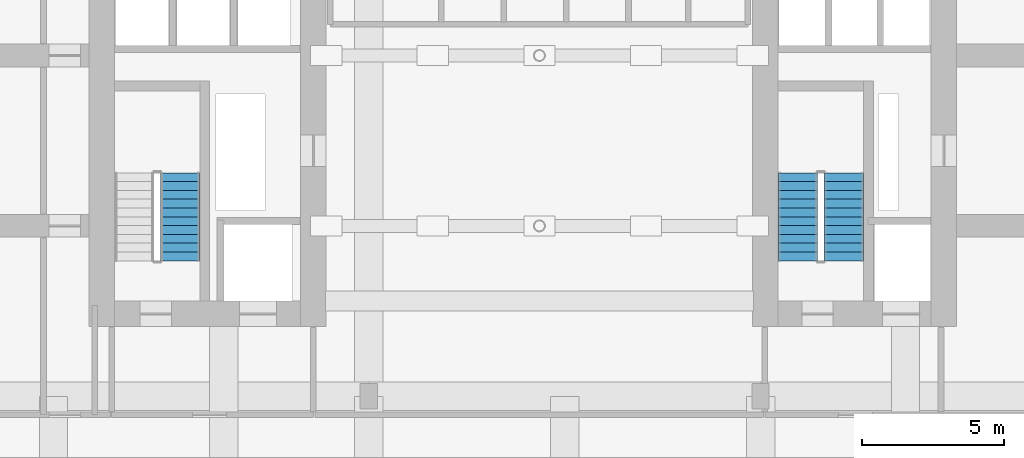
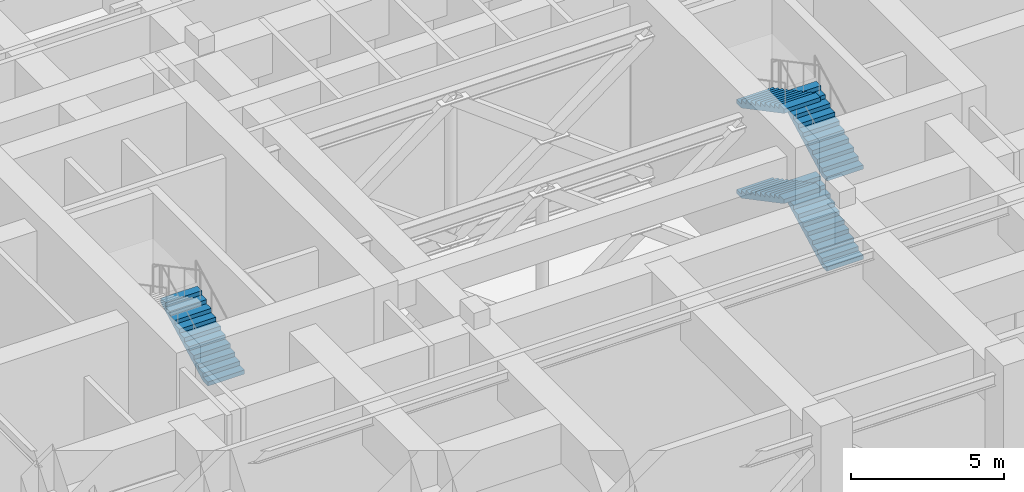
# One storey, part 6 of 10: 5 stair flights, 2 elements without a shape of their own.
"""IFC4 building model written with IfcOpenShell, lengths in metres."""

from ifc_helpers import new_model, si_unit, direction, frame, origin, place, context, subcontext, project, spatial, polyline, outline, extrude, source, transform, mapped, material, type_object, element, aggregate, save


model = new_model("IFC4")

# Units and contexts
model_context = context("Model", 3, precision=1e-05, world=origin(), true_north=direction((0.0, 1.0)))
body_context = subcontext(model_context, "Body", "Model", "MODEL_VIEW")
ifc_project = project(units=[si_unit("LENGTHUNIT", "METRE"), si_unit("AREAUNIT", "SQUARE_METRE"), si_unit("VOLUMEUNIT", "CUBIC_METRE"), si_unit("PLANEANGLEUNIT", "RADIAN"), si_unit("MASSUNIT", "GRAM", prefix="KILO")], contexts=[model_context])

# Site, building, storey
site_placement = place(None, origin())
site = spatial("IfcSite", under=ifc_project, at=site_placement, CompositionType="ELEMENT")
building_placement = place(site_placement, origin())
building = spatial("IfcBuilding", under=site, at=building_placement, Name="Khoralis Quay Care Tower", CompositionType="ELEMENT")
storey_placement = place(building_placement, frame((0.0, 0.0, 76.5)))
storey = spatial("IfcBuildingStorey", under=building, at=storey_placement, Name="L20", CompositionType="ELEMENT", Elevation=76.5)

# Stair, stair flight
ifc_material = material(Name="Precast concrete C45/55", Category="concrete")
stair_type = type_object("IfcStairType", Name="ST-TWR-DOGLEG-1400", PredefinedType="HALF_TURN_STAIR", material=ifc_material)
stair_1_placement = place(storey_placement, origin())
stair_1 = element("IfcStair", 1, at=stair_1_placement, inside=storey, type_object=stair_type, Name="L20 West Core Exit Stair ST-T1", PredefinedType="HALF_TURN_STAIR")
stair_flight_type = type_object("IfcStairFlightType", Name="SF-TWR-1400", PredefinedType="STRAIGHT", material=ifc_material)
shared_shape = source(origin(), body_context, "Body", "SweptSolid", [
    extrude(outline(polyline([(0.0, 0.0), (0.0, 0.16357421875), (0.31005859375, 0.16357421875), (0.31005859375, 0.327392578125), (0.6201171875, 0.327392578125), (0.6201171875, 0.490966796875), (0.929931640625, 0.490966796875), (0.929931640625, 0.654541015625), (1.239990234375, 0.654541015625), (1.239990234375, 0.818115234375), (1.550048828125, 0.818115234375), (1.550048828125, 0.98193359375), (1.860107421875, 0.98193359375), (1.860107421875, 1.1455078125), (2.169921875, 1.1455078125), (2.169921875, 1.30908203125), (2.47998046875, 1.30908203125), (2.47998046875, 1.47265625), (2.7900390625, 1.47265625), (2.7900390625, 1.636474609375), (3.10009765625, 1.636474609375), (3.10009765625, 1.800048828125), (3.10009765625, 1.466796875), (0.321044921875, 0.0), (0.0, 0.0)])), frame((0.0, 0.68994140625, 0.0), z_axis=(0.0, -1.0, 0.0), x_axis=(1.0, 0.0, 0.0)), (0.0, 0.0, 1.0), 1.3798828125),
])
stair_flight_1_placement = place(storey_placement, frame((10.4599609375, 16.77001953125, 3.60009765625), z_axis=(0.0, 0.0, 1.0), x_axis=(0.0, 1.0, 0.0)))
stair_flight_1 = element("IfcStairFlight", 2, at=stair_flight_1_placement, type_object=stair_flight_type, Name="ST-T1 flight 3", NumberOfRisers=11, NumberOfTreads=10, PredefinedType="STRAIGHT", RiserHeight=0.163636364, TreadLength=0.31, context=body_context, shape_type="MappedRepresentation", body=[
    mapped(shared_shape, transform((0.0, 0.0, 0.0), scale=1.0)),
])
aggregate(stair_1, [stair_flight_1])

# Stair, stair flights
stair_2_placement = place(storey_placement, origin())
stair_2 = element("IfcStair", 3, at=stair_2_placement, inside=storey, type_object=stair_type, Name="L20 East Core Exit Stair ST-T2", PredefinedType="HALF_TURN_STAIR")
stair_flight_2_placement = place(storey_placement, frame((33.830078125, 16.77001953125, 0.0), z_axis=(0.0, 0.0, 1.0), x_axis=(0.0, 1.0, 0.0)))
stair_flight_2 = element("IfcStairFlight", 4, at=stair_flight_2_placement, type_object=stair_flight_type, Name="ST-T2 flight 1", NumberOfRisers=11, NumberOfTreads=10, PredefinedType="STRAIGHT", RiserHeight=0.163636364, TreadLength=0.31, context=body_context, shape_type="MappedRepresentation", body=[
    mapped(shared_shape, transform((0.0, 0.0, 0.0), scale=1.0)),
])
stair_flight_3_placement = place(storey_placement, frame((32.2099609375, 19.8701171875, 1.800048828125), z_axis=(0.0, 0.0, 1.0), x_axis=(0.0, -1.0, 0.0)))
stair_flight_3 = element("IfcStairFlight", 5, at=stair_flight_3_placement, type_object=stair_flight_type, Name="ST-T2 flight 2", NumberOfRisers=11, NumberOfTreads=10, PredefinedType="STRAIGHT", RiserHeight=0.163636364, TreadLength=0.31, context=body_context, shape_type="MappedRepresentation", body=[
    mapped(shared_shape, transform((0.0, 0.0, 0.0), scale=1.0)),
])
stair_flight_4_placement = place(storey_placement, frame((33.830078125, 16.77001953125, 3.60009765625), z_axis=(0.0, 0.0, 1.0), x_axis=(0.0, 1.0, 0.0)))
stair_flight_4 = element("IfcStairFlight", 6, at=stair_flight_4_placement, type_object=stair_flight_type, Name="ST-T2 flight 3", NumberOfRisers=11, NumberOfTreads=10, PredefinedType="STRAIGHT", RiserHeight=0.163636364, TreadLength=0.31, context=body_context, shape_type="MappedRepresentation", body=[
    mapped(shared_shape, transform((0.0, 0.0, 0.0), scale=1.0)),
])
stair_flight_5_placement = place(storey_placement, frame((32.2099609375, 19.8701171875, 5.39990234375), z_axis=(0.0, 0.0, 1.0), x_axis=(0.0, -1.0, 0.0)))
stair_flight_5 = element("IfcStairFlight", 7, at=stair_flight_5_placement, type_object=stair_flight_type, Name="ST-T2 flight 4", NumberOfRisers=11, NumberOfTreads=10, PredefinedType="STRAIGHT", RiserHeight=0.163636364, TreadLength=0.31, context=body_context, shape_type="MappedRepresentation", body=[
    mapped(shared_shape, transform((0.0, 0.0, 0.0), scale=1.0)),
])
aggregate(stair_2, [stair_flight_2, stair_flight_3, stair_flight_4, stair_flight_5])

save(model, "model.ifc")
